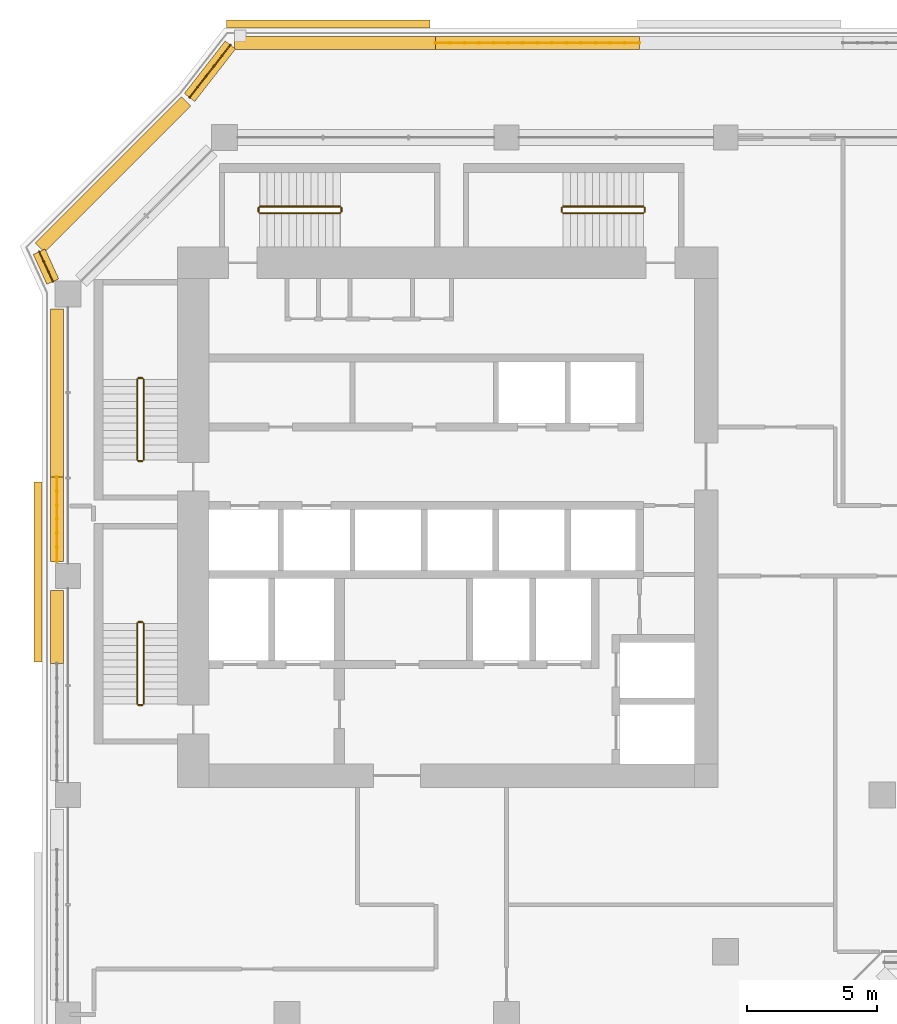
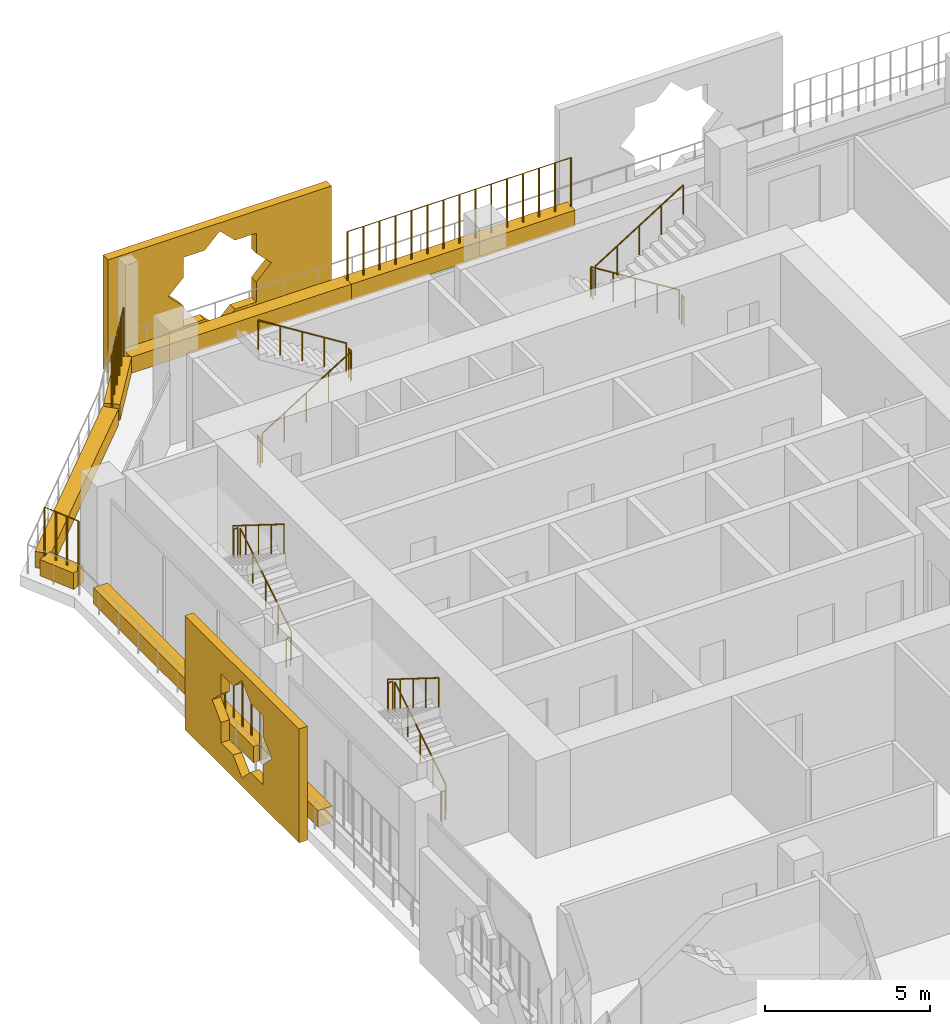
# One storey, part 20 of 22: 20 railings, 10 coverings.
"""IFC4 building model written with IfcOpenShell, lengths in metres."""

from ifc_helpers import new_model, si_unit, direction, frame, origin, origin_2d, place, context, subcontext, project, spatial, polyline, rectangle, circle, outline, extrude, material, material_profile, profile_set, type_object, element, save


model = new_model("IFC4")

# Units and contexts
model_context = context("Model", 3, precision=1e-05, world=origin(), true_north=direction((0.0, 1.0)))
body_context = subcontext(model_context, "Body", "Model", "MODEL_VIEW")
ifc_project = project(units=[si_unit("LENGTHUNIT", "METRE"), si_unit("AREAUNIT", "SQUARE_METRE"), si_unit("VOLUMEUNIT", "CUBIC_METRE"), si_unit("PLANEANGLEUNIT", "RADIAN"), si_unit("MASSUNIT", "GRAM", prefix="KILO")], contexts=[model_context])

# Site, building, storey
site_placement = place(None, origin())
site = spatial("IfcSite", under=ifc_project, at=site_placement, CompositionType="ELEMENT")
building_placement = place(site_placement, origin())
building = spatial("IfcBuilding", under=site, at=building_placement, Name="Kawkab Arch Medical Tower", CompositionType="ELEMENT")
storey_placement = place(building_placement, frame((0.0, 0.0, 183.60009765625)))
storey = spatial("IfcBuildingStorey", under=building, at=storey_placement, Name="L42", CompositionType="ELEMENT", Elevation=183.60009765625)

# Coverings
ifc_material_1 = material(Name="Bronze anodised aluminium mashrabiya panel, eight-point star pattern", Category="aluminium")
ifc_material_profile_1 = material_profile(ifc_material_1, outline(polyline([(-3.449951171875, -2.10009765625), (3.449951171875, -2.10009765625), (3.449951171875, 2.10009765625), (-3.449951171875, 2.10009765625), (-3.449951171875, -2.10009765625)]), holes=[polyline([(1.800048828125, 0.0), (1.272705078125, 0.527099609375), (1.272705078125, 1.272705078125), (0.527099609375, 1.272705078125), (0.0, 1.800048828125), (-0.527099609375, 1.272705078125), (-1.272705078125, 1.272705078125), (-1.272705078125, 0.527099609375), (-1.800048828125, 0.0), (-1.272705078125, -0.527099609375), (-1.272705078125, -1.272705078125), (-0.527099609375, -1.272705078125), (0.0, -1.800048828125), (0.527099609375, -1.272705078125), (1.272705078125, -1.272705078125), (1.272705078125, -0.527099609375), (1.800048828125, 0.0)])]), Name="Mashrabiya panel 6900x4200")
ifc_profile_set_1 = profile_set([ifc_material_profile_1], Name="Bronze anodised aluminium mashrabiya panel, eight-point star pattern")
covering_type_1 = type_object("IfcCoveringType", Name="Mashrabiya panel 6900 x 4200", PredefinedType="USERDEFINED", material=ifc_profile_set_1)
covering_1_placement = place(storey_placement, frame((-1.0, -16.64892578125, 1.699951171875), z_axis=(-1.0, 0.0, 0.0), x_axis=(0.0, -1.0, 0.0)))
element("IfcCovering", 1, at=covering_1_placement, inside=storey, type_object=covering_type_1, Name="Mashrabiya panel L42.LOG-01-01.4", ObjectType="SCREEN", PredefinedType="USERDEFINED", context=body_context, shape_type="SweptSolid", body=[
    extrude(outline(polyline([(-3.449951171875, -2.10009765625), (3.449951171875, -2.10009765625), (3.449951171875, 2.10009765625), (-3.449951171875, 2.10009765625), (-3.449951171875, -2.10009765625)]), holes=[polyline([(1.800048828125, 0.0), (1.272705078125, 0.527099609375), (1.272705078125, 1.272705078125), (0.527099609375, 1.272705078125), (0.0, 1.800048828125), (-0.527099609375, 1.272705078125), (-1.272705078125, 1.272705078125), (-1.272705078125, 0.527099609375), (-1.800048828125, 0.0), (-1.272705078125, -0.527099609375), (-1.272705078125, -1.272705078125), (-0.527099609375, -1.272705078125), (0.0, -1.800048828125), (0.527099609375, -1.272705078125), (1.272705078125, -1.272705078125), (1.272705078125, -0.527099609375), (1.800048828125, 0.0)])]), origin(), (0.0, 0.0, 1.0), 0.300048828125),
])
ifc_material_2 = material(Name="Bronze anodised aluminium mashrabiya panel, eight-point star pattern", Category="aluminium")
ifc_material_profile_2 = material_profile(ifc_material_2, outline(polyline([(-3.89990234375, -2.10009765625), (3.89990234375, -2.10009765625), (3.89990234375, 2.10009765625), (-3.89990234375, 2.10009765625), (-3.89990234375, -2.10009765625)]), holes=[polyline([(1.800048828125, 0.0), (1.272705078125, 0.527099609375), (1.272705078125, 1.272705078125), (0.527099609375, 1.272705078125), (0.0, 1.800048828125), (-0.527099609375, 1.272705078125), (-1.272705078125, 1.272705078125), (-1.272705078125, 0.527099609375), (-1.800048828125, 0.0), (-1.272705078125, -0.527099609375), (-1.272705078125, -1.272705078125), (-0.527099609375, -1.272705078125), (0.0, -1.800048828125), (0.527099609375, -1.272705078125), (1.272705078125, -1.272705078125), (1.272705078125, -0.527099609375), (1.800048828125, 0.0)])]), Name="Mashrabiya panel 7800x4200")
ifc_profile_set_2 = profile_set([ifc_material_profile_2], Name="Bronze anodised aluminium mashrabiya panel, eight-point star pattern")
covering_type_2 = type_object("IfcCoveringType", Name="Mashrabiya panel 7800 x 4200", PredefinedType="USERDEFINED", material=ifc_profile_set_2)
covering_2_placement = place(storey_placement, frame((9.967041015625, 4.199951171875, 1.699951171875), z_axis=(0.0, 1.0, 0.0), x_axis=(-1.0, 0.0, 0.0)))
element("IfcCovering", 2, at=covering_2_placement, inside=storey, type_object=covering_type_2, Name="Mashrabiya panel L42.LOG-01-01.5", ObjectType="SCREEN", PredefinedType="USERDEFINED", context=body_context, shape_type="SweptSolid", body=[
    extrude(outline(polyline([(-3.89990234375, -2.10009765625), (3.89990234375, -2.10009765625), (3.89990234375, 2.10009765625), (-3.89990234375, 2.10009765625), (-3.89990234375, -2.10009765625)]), holes=[polyline([(1.800048828125, 0.0), (1.272705078125, 0.527099609375), (1.272705078125, 1.272705078125), (0.527099609375, 1.272705078125), (0.0, 1.800048828125), (-0.527099609375, 1.272705078125), (-1.272705078125, 1.272705078125), (-1.272705078125, 0.527099609375), (-1.800048828125, 0.0), (-1.272705078125, -0.527099609375), (-1.272705078125, -1.272705078125), (-0.527099609375, -1.272705078125), (0.0, -1.800048828125), (0.527099609375, -1.272705078125), (1.272705078125, -1.272705078125), (1.272705078125, -0.527099609375), (1.800048828125, 0.0)])]), origin(), (0.0, 0.0, 1.0), 0.300048828125),
])
ifc_material_3 = material(Name="Planting soil in a precast trough", Category="concrete")
ifc_material_profile_3 = material_profile(ifc_material_3, rectangle(XDim=0.5, YDim=0.60009765625, at=origin_2d()), Name="Trough 500x600")
ifc_profile_set_3 = profile_set([ifc_material_profile_3], Name="Planting soil in a precast trough")
covering_type_3 = type_object("IfcCoveringType", Name="Planter trough 500 x 600", PredefinedType="USERDEFINED", material=ifc_profile_set_3)
covering_3_placement = place(storey_placement, frame((-0.419921875, -20.157958984375, 0.2998046875), z_axis=(0.0, 1.0, 0.0), x_axis=(-1.0, 0.0, 0.0)))
element("IfcCovering", 3, at=covering_3_placement, inside=storey, type_object=covering_type_3, Name="Planter L42.LOG-01-01.12", ObjectType="PLANTER", PredefinedType="USERDEFINED", context=body_context, shape_type="SweptSolid", body=[
    extrude(rectangle(XDim=0.5, YDim=0.60009765625, at=origin_2d()), origin(), (0.0, 0.0, 1.0), 2.802978515625),
])
covering_4_placement = place(storey_placement, frame((-0.419921875, -16.2451171875, 0.2998046875), z_axis=(0.0, 1.0, 0.0), x_axis=(-1.0, 0.0, 0.0)))
element("IfcCovering", 4, at=covering_4_placement, inside=storey, type_object=covering_type_3, Name="Planter L42.LOG-01-01.13", ObjectType="PLANTER", PredefinedType="USERDEFINED", context=body_context, shape_type="SweptSolid", body=[
    extrude(rectangle(XDim=0.5, YDim=0.60009765625, at=origin_2d()), origin(), (0.0, 0.0, 1.0), 3.22900390625),
])
covering_5_placement = place(storey_placement, frame((-0.419921875, -13.01611328125, 0.2998046875), z_axis=(0.0, 1.0, 0.0), x_axis=(-1.0, 0.0, 0.0)))
element("IfcCovering", 5, at=covering_5_placement, inside=storey, type_object=covering_type_3, Name="Planter L42.LOG-01-01.14", ObjectType="PLANTER", PredefinedType="USERDEFINED", context=body_context, shape_type="SweptSolid", body=[
    extrude(rectangle(XDim=0.5, YDim=0.60009765625, at=origin_2d()), origin(), (0.0, 0.0, 1.0), 6.43603515625),
])
covering_6_placement = place(storey_placement, frame((-0.580078125, -5.52294921875, 0.2998046875), z_axis=(-0.415089762627, 0.909780461959, 0.0), x_axis=(-0.909780461959, -0.415089762627, 0.0)))
element("IfcCovering", 6, at=covering_6_placement, inside=storey, type_object=covering_type_3, Name="Planter L42.LOG-01-01.15", ObjectType="PLANTER", PredefinedType="USERDEFINED", context=body_context, shape_type="SweptSolid", body=[
    extrude(rectangle(XDim=0.5, YDim=0.60009765625, at=origin_2d()), origin(), (0.0, 0.0, 1.0), 1.257568359375),
])
covering_7_placement = place(storey_placement, frame((-1.072998046875, -4.217041015625, 0.2998046875), z_axis=(0.707106781187, 0.707106781187, 0.0), x_axis=(-0.707106781187, 0.707106781187, 0.0)))
element("IfcCovering", 7, at=covering_7_placement, inside=storey, type_object=covering_type_3, Name="Planter L42.LOG-01-01.16", ObjectType="PLANTER", PredefinedType="USERDEFINED", context=body_context, shape_type="SweptSolid", body=[
    extrude(rectangle(XDim=0.5, YDim=0.60009765625, at=origin_2d()), origin(), (0.0, 0.0, 1.0), 7.919677734375),
])
covering_8_placement = place(storey_placement, frame((4.658935546875, 1.531982421875, 0.2998046875), z_axis=(0.61404021143, 0.789274742246, 0.0), x_axis=(-0.789274742246, 0.61404021143, 0.0)))
element("IfcCovering", 8, at=covering_8_placement, inside=storey, type_object=covering_type_3, Name="Planter L42.LOG-01-01.17", ObjectType="PLANTER", PredefinedType="USERDEFINED", context=body_context, shape_type="SweptSolid", body=[
    extrude(rectangle(XDim=0.5, YDim=0.60009765625, at=origin_2d()), origin(), (0.0, 0.0, 1.0), 2.54541015625),
])
covering_9_placement = place(storey_placement, frame((6.384033203125, 3.6201171875, 0.2998046875), z_axis=(1.0, 0.0, 0.0), x_axis=(0.0, 1.0, 0.0)))
element("IfcCovering", 9, at=covering_9_placement, inside=storey, type_object=covering_type_3, Name="Planter L42.LOG-01-01.18", ObjectType="PLANTER", PredefinedType="USERDEFINED", context=body_context, shape_type="SweptSolid", body=[
    extrude(rectangle(XDim=0.5, YDim=0.60009765625, at=origin_2d()), origin(), (0.0, 0.0, 1.0), 7.703857421875),
])
covering_10_placement = place(storey_placement, frame((14.087890625, 3.6201171875, 0.2998046875), z_axis=(1.0, 0.0, 0.0), x_axis=(0.0, 1.0, 0.0)))
element("IfcCovering", 10, at=covering_10_placement, inside=storey, type_object=covering_type_3, Name="Planter L42.LOG-01-01.19", ObjectType="PLANTER", PredefinedType="USERDEFINED", context=body_context, shape_type="SweptSolid", body=[
    extrude(rectangle(XDim=0.5, YDim=0.60009765625, at=origin_2d()), origin(), (0.0, 0.0, 1.0), 7.80517578125),
])

# Railings
ifc_material_4 = material(Name="Bronze anodised aluminium trellis for climbing plants", Category="aluminium")
railing_type_1 = type_object("IfcRailingType", Name="Planting trellis 2400", PredefinedType="USERDEFINED", material=ifc_material_4)
railing_1_placement = place(storey_placement, frame((-0.419921875, -16.2451171875, 0.0)))
element("IfcRailing", 11, at=railing_1_placement, inside=storey, type_object=railing_type_1, Name="Planting trellis L42.LOG-01-01.13", ObjectType="TRELLIS", PredefinedType="USERDEFINED", context=body_context, shape_type="SweptSolid", body=[
    extrude(circle(Radius=0.01513671875, at=origin_2d()), frame((0.0, 0.0, 2.384765625), z_axis=(0.0, 1.0, 0.0), x_axis=(-1.0, 0.0, 0.0)), (0.0, 0.0, 1.0), 3.22900390625),
    extrude(circle(Radius=0.030029296875, at=origin_2d()), origin(), (0.0, 0.0, 1.0), 2.369873046875),
    extrude(circle(Radius=0.030029296875, at=origin_2d()), frame((0.0, 0.5380859375, 0.0)), (0.0, 0.0, 1.0), 2.369873046875),
    extrude(circle(Radius=0.030029296875, at=origin_2d()), frame((0.0, 1.076416015625, 0.0)), (0.0, 0.0, 1.0), 2.369873046875),
    extrude(circle(Radius=0.030029296875, at=origin_2d()), frame((0.0, 1.614501953125, 0.0)), (0.0, 0.0, 1.0), 2.369873046875),
    extrude(circle(Radius=0.030029296875, at=origin_2d()), frame((0.0, 2.152587890625, 0.0)), (0.0, 0.0, 1.0), 2.369873046875),
    extrude(circle(Radius=0.030029296875, at=origin_2d()), frame((0.0, 2.69091796875, 0.0)), (0.0, 0.0, 1.0), 2.369873046875),
    extrude(circle(Radius=0.030029296875, at=origin_2d()), frame((0.0, 3.22900390625, 0.0)), (0.0, 0.0, 1.0), 2.369873046875),
])
railing_2_placement = place(storey_placement, frame((-0.580078125, -5.52294921875, 0.0)))
element("IfcRailing", 12, at=railing_2_placement, inside=storey, type_object=railing_type_1, Name="Planting trellis L42.LOG-01-01.15", ObjectType="TRELLIS", PredefinedType="USERDEFINED", context=body_context, shape_type="SweptSolid", body=[
    extrude(circle(Radius=0.01513671875, at=origin_2d()), frame((0.0, 0.0, 2.384765625), z_axis=(-0.415089762627, 0.909780461959, 0.0), x_axis=(-0.909780461959, -0.415089762627, 0.0)), (0.0, 0.0, 1.0), 1.257568359375),
    extrude(circle(Radius=0.030029296875, at=origin_2d()), origin(), (0.0, 0.0, 1.0), 2.369873046875),
    extrude(circle(Radius=0.030029296875, at=origin_2d()), frame((-0.174072265625, 0.38134765625, 0.0)), (0.0, 0.0, 1.0), 2.369873046875),
    extrude(circle(Radius=0.030029296875, at=origin_2d()), frame((-0.347900390625, 0.7626953125, 0.0)), (0.0, 0.0, 1.0), 2.369873046875),
    extrude(circle(Radius=0.030029296875, at=origin_2d()), frame((-0.52197265625, 1.14404296875, 0.0)), (0.0, 0.0, 1.0), 2.369873046875),
])
railing_3_placement = place(storey_placement, frame((4.658935546875, 1.531982421875, 0.0)))
element("IfcRailing", 13, at=railing_3_placement, inside=storey, type_object=railing_type_1, Name="Planting trellis L42.LOG-01-01.17", ObjectType="TRELLIS", PredefinedType="USERDEFINED", context=body_context, shape_type="SweptSolid", body=[
    extrude(circle(Radius=0.01513671875, at=origin_2d()), frame((0.0, 0.0, 2.384765625), z_axis=(0.61404021143, 0.789274742246, 0.0), x_axis=(-0.789274742246, 0.61404021143, 0.0)), (0.0, 0.0, 1.0), 2.54541015625),
    extrude(circle(Radius=0.030029296875, at=origin_2d()), origin(), (0.0, 0.0, 1.0), 2.369873046875),
    extrude(circle(Radius=0.030029296875, at=origin_2d()), frame((0.3125, 0.40185546875, 0.0)), (0.0, 0.0, 1.0), 2.369873046875),
    extrude(circle(Radius=0.030029296875, at=origin_2d()), frame((0.625244140625, 0.8037109375, 0.0)), (0.0, 0.0, 1.0), 2.369873046875),
    extrude(circle(Radius=0.030029296875, at=origin_2d()), frame((0.937744140625, 1.205322265625, 0.0)), (0.0, 0.0, 1.0), 2.369873046875),
    extrude(circle(Radius=0.030029296875, at=origin_2d()), frame((1.25048828125, 1.607177734375, 0.0)), (0.0, 0.0, 1.0), 2.369873046875),
    extrude(circle(Radius=0.030029296875, at=origin_2d()), frame((1.56298828125, 2.009033203125, 0.0)), (0.0, 0.0, 1.0), 2.369873046875),
])
railing_4_placement = place(storey_placement, frame((14.087890625, 3.6201171875, 0.0)))
element("IfcRailing", 14, at=railing_4_placement, inside=storey, type_object=railing_type_1, Name="Planting trellis L42.LOG-01-01.19", ObjectType="TRELLIS", PredefinedType="USERDEFINED", context=body_context, shape_type="SweptSolid", body=[
    extrude(circle(Radius=0.01513671875, at=origin_2d()), frame((0.0, 0.0, 2.384765625), z_axis=(1.0, 0.0, 0.0), x_axis=(0.0, 1.0, 0.0)), (0.0, 0.0, 1.0), 7.80517578125),
    extrude(circle(Radius=0.030029296875, at=origin_2d()), origin(), (0.0, 0.0, 1.0), 2.369873046875),
    extrude(circle(Radius=0.030029296875, at=origin_2d()), frame((0.5576171875, 0.0, 0.0)), (0.0, 0.0, 1.0), 2.369873046875),
    extrude(circle(Radius=0.030029296875, at=origin_2d()), frame((1.114990234375, 0.0, 0.0)), (0.0, 0.0, 1.0), 2.369873046875),
    extrude(circle(Radius=0.030029296875, at=origin_2d()), frame((1.672607421875, 0.0, 0.0)), (0.0, 0.0, 1.0), 2.369873046875),
    extrude(circle(Radius=0.030029296875, at=origin_2d()), frame((2.22998046875, 0.0, 0.0)), (0.0, 0.0, 1.0), 2.369873046875),
    extrude(circle(Radius=0.030029296875, at=origin_2d()), frame((2.78759765625, 0.0, 0.0)), (0.0, 0.0, 1.0), 2.369873046875),
    extrude(circle(Radius=0.030029296875, at=origin_2d()), frame((3.344970703125, 0.0, 0.0)), (0.0, 0.0, 1.0), 2.369873046875),
    extrude(circle(Radius=0.030029296875, at=origin_2d()), frame((3.902587890625, 0.0, 0.0)), (0.0, 0.0, 1.0), 2.369873046875),
    extrude(circle(Radius=0.030029296875, at=origin_2d()), frame((4.460205078125, 0.0, 0.0)), (0.0, 0.0, 1.0), 2.369873046875),
    extrude(circle(Radius=0.030029296875, at=origin_2d()), frame((5.017578125, 0.0, 0.0)), (0.0, 0.0, 1.0), 2.369873046875),
    extrude(circle(Radius=0.030029296875, at=origin_2d()), frame((5.5751953125, 0.0, 0.0)), (0.0, 0.0, 1.0), 2.369873046875),
    extrude(circle(Radius=0.030029296875, at=origin_2d()), frame((6.132568359375, 0.0, 0.0)), (0.0, 0.0, 1.0), 2.369873046875),
    extrude(circle(Radius=0.030029296875, at=origin_2d()), frame((6.690185546875, 0.0, 0.0)), (0.0, 0.0, 1.0), 2.369873046875),
    extrude(circle(Radius=0.030029296875, at=origin_2d()), frame((7.24755859375, 0.0, 0.0)), (0.0, 0.0, 1.0), 2.369873046875),
    extrude(circle(Radius=0.030029296875, at=origin_2d()), frame((7.80517578125, 0.0, 0.0)), (0.0, 0.0, 1.0), 2.369873046875),
])
ifc_material_5 = material(Name="Stainless steel", Category="steel")
railing_type_2 = type_object("IfcRailingType", Name="Stair guard 1100", PredefinedType="GUARDRAIL", material=ifc_material_5)
railing_5_placement = place(storey_placement, frame((2.89990234375, -12.35009765625, 0.1748046875)))
element("IfcRailing", 15, at=railing_5_placement, inside=storey, type_object=railing_type_2, Name="L42 ST1 stair guard 1", PredefinedType="GUARDRAIL", context=body_context, shape_type="SweptSolid", body=[
    extrude(circle(Radius=0.02392578125, at=origin_2d()), frame((0.0, 0.0, 1.076171875), z_axis=(0.0, 0.847998304005, 0.529998940003), x_axis=(-1.0, 0.0, 0.0)), (0.0, 0.0, 1.0), 3.632080078125),
    extrude(circle(Radius=0.02099609375, at=origin_2d()), origin(), (0.0, 0.0, 1.0), 1.052001953125),
    extrude(circle(Radius=0.02099609375, at=origin_2d()), frame((0.0, 0.77001953125, 0.481201171875)), (0.0, 0.0, 1.0), 1.052001953125),
    extrude(circle(Radius=0.02099609375, at=origin_2d()), frame((0.0, 1.5400390625, 0.96240234375)), (0.0, 0.0, 1.0), 1.052001953125),
    extrude(circle(Radius=0.02099609375, at=origin_2d()), frame((0.0, 2.31005859375, 1.44384765625)), (0.0, 0.0, 1.0), 1.052001953125),
    extrude(circle(Radius=0.02099609375, at=origin_2d()), frame((0.0, 3.080078125, 1.925048828125)), (0.0, 0.0, 1.0), 1.052001953125),
])
railing_6_placement = place(storey_placement, frame((2.85009765625, -9.219970703125, 2.099853515625)))
element("IfcRailing", 16, at=railing_6_placement, inside=storey, type_object=railing_type_2, Name="L42 ST1 stair guard 2", PredefinedType="GUARDRAIL", context=body_context, shape_type="SweptSolid", body=[
    extrude(circle(Radius=0.02392578125, at=origin_2d()), frame((0.0, 0.0, 1.076171875), z_axis=(-1.0, 0.0, 0.0), x_axis=(0.0, -1.0, 0.0)), (0.0, 0.0, 1.0), 0.150146484375),
    extrude(circle(Radius=0.02099609375, at=origin_2d()), origin(), (0.0, 0.0, 1.0), 1.052001953125),
    extrude(circle(Radius=0.02099609375, at=origin_2d()), frame((-0.150146484375, 0.0, 0.0)), (0.0, 0.0, 1.0), 1.052001953125),
])
railing_7_placement = place(storey_placement, frame((2.64990234375, -9.27001953125, 2.27490234375)))
element("IfcRailing", 17, at=railing_7_placement, inside=storey, type_object=railing_type_2, Name="L42 ST1 stair guard 3", PredefinedType="GUARDRAIL", context=body_context, shape_type="SweptSolid", body=[
    extrude(circle(Radius=0.02392578125, at=origin_2d()), frame((0.0, 0.0, 1.076171875), z_axis=(0.0, -0.847998304005, 0.529998940003), x_axis=(1.0, 0.0, 0.0)), (0.0, 0.0, 1.0), 3.632080078125),
    extrude(circle(Radius=0.02099609375, at=origin_2d()), origin(), (0.0, 0.0, 1.0), 1.052001953125),
    extrude(circle(Radius=0.02099609375, at=origin_2d()), frame((0.0, -0.77001953125, 0.481201171875)), (0.0, 0.0, 1.0), 1.052001953125),
    extrude(circle(Radius=0.02099609375, at=origin_2d()), frame((0.0, -1.5400390625, 0.96240234375)), (0.0, 0.0, 1.0), 1.052001953125),
    extrude(circle(Radius=0.02099609375, at=origin_2d()), frame((0.0, -2.31005859375, 1.44384765625)), (0.0, 0.0, 1.0), 1.052001953125),
    extrude(circle(Radius=0.02099609375, at=origin_2d()), frame((0.0, -3.080078125, 1.925048828125)), (0.0, 0.0, 1.0), 1.052001953125),
])
railing_8_placement = place(storey_placement, frame((2.85009765625, -12.39990234375, 0.0)))
element("IfcRailing", 18, at=railing_8_placement, inside=storey, type_object=railing_type_2, Name="L42 ST1 stair guard 4", PredefinedType="GUARDRAIL", context=body_context, shape_type="SweptSolid", body=[
    extrude(circle(Radius=0.02392578125, at=origin_2d()), frame((0.0, 0.0, 1.076171875), z_axis=(-1.0, 0.0, 0.0), x_axis=(0.0, -1.0, 0.0)), (0.0, 0.0, 1.0), 0.150146484375),
    extrude(circle(Radius=0.02099609375, at=origin_2d()), origin(), (0.0, 0.0, 1.0), 1.052001953125),
    extrude(circle(Radius=0.02099609375, at=origin_2d()), frame((-0.150146484375, 0.0, 0.0)), (0.0, 0.0, 1.0), 1.052001953125),
])
railing_9_placement = place(storey_placement, frame((2.89990234375, -21.699951171875, 0.1748046875)))
element("IfcRailing", 19, at=railing_9_placement, inside=storey, type_object=railing_type_2, Name="L42 ST2 stair guard 1", PredefinedType="GUARDRAIL", context=body_context, shape_type="SweptSolid", body=[
    extrude(circle(Radius=0.02392578125, at=origin_2d()), frame((0.0, 0.0, 1.076171875), z_axis=(0.0, 0.847979421464, 0.530029150871), x_axis=(-1.0, 0.0, 0.0)), (0.0, 0.0, 1.0), 3.632080078125),
    extrude(circle(Radius=0.02099609375, at=origin_2d()), origin(), (0.0, 0.0, 1.0), 1.052001953125),
    extrude(circle(Radius=0.02099609375, at=origin_2d()), frame((0.0, 0.77001953125, 0.481201171875)), (0.0, 0.0, 1.0), 1.052001953125),
    extrude(circle(Radius=0.02099609375, at=origin_2d()), frame((0.0, 1.5400390625, 0.96240234375)), (0.0, 0.0, 1.0), 1.052001953125),
    extrude(circle(Radius=0.02099609375, at=origin_2d()), frame((0.0, 2.309814453125, 1.44384765625)), (0.0, 0.0, 1.0), 1.052001953125),
    extrude(circle(Radius=0.02099609375, at=origin_2d()), frame((0.0, 3.079833984375, 1.925048828125)), (0.0, 0.0, 1.0), 1.052001953125),
])
railing_10_placement = place(storey_placement, frame((2.85009765625, -18.570068359375, 2.099853515625)))
element("IfcRailing", 20, at=railing_10_placement, inside=storey, type_object=railing_type_2, Name="L42 ST2 stair guard 2", PredefinedType="GUARDRAIL", context=body_context, shape_type="SweptSolid", body=[
    extrude(circle(Radius=0.02392578125, at=origin_2d()), frame((0.0, 0.0, 1.076171875), z_axis=(-1.0, 0.0, 0.0), x_axis=(0.0, -1.0, 0.0)), (0.0, 0.0, 1.0), 0.150146484375),
    extrude(circle(Radius=0.02099609375, at=origin_2d()), origin(), (0.0, 0.0, 1.0), 1.052001953125),
    extrude(circle(Radius=0.02099609375, at=origin_2d()), frame((-0.150146484375, 0.0, 0.0)), (0.0, 0.0, 1.0), 1.052001953125),
])
railing_11_placement = place(storey_placement, frame((2.64990234375, -18.6201171875, 2.27490234375)))
element("IfcRailing", 21, at=railing_11_placement, inside=storey, type_object=railing_type_2, Name="L42 ST2 stair guard 3", PredefinedType="GUARDRAIL", context=body_context, shape_type="SweptSolid", body=[
    extrude(circle(Radius=0.02392578125, at=origin_2d()), frame((0.0, 0.0, 1.076171875), z_axis=(0.0, -0.847979421464, 0.530029150871), x_axis=(1.0, 0.0, 0.0)), (0.0, 0.0, 1.0), 3.632080078125),
    extrude(circle(Radius=0.02099609375, at=origin_2d()), origin(), (0.0, 0.0, 1.0), 1.052001953125),
    extrude(circle(Radius=0.02099609375, at=origin_2d()), frame((0.0, -0.77001953125, 0.481201171875)), (0.0, 0.0, 1.0), 1.052001953125),
    extrude(circle(Radius=0.02099609375, at=origin_2d()), frame((0.0, -1.5400390625, 0.96240234375)), (0.0, 0.0, 1.0), 1.052001953125),
    extrude(circle(Radius=0.02099609375, at=origin_2d()), frame((0.0, -2.309814453125, 1.44384765625)), (0.0, 0.0, 1.0), 1.052001953125),
    extrude(circle(Radius=0.02099609375, at=origin_2d()), frame((0.0, -3.079833984375, 1.925048828125)), (0.0, 0.0, 1.0), 1.052001953125),
])
railing_12_placement = place(storey_placement, frame((2.85009765625, -21.75, 0.0)))
element("IfcRailing", 22, at=railing_12_placement, inside=storey, type_object=railing_type_2, Name="L42 ST2 stair guard 4", PredefinedType="GUARDRAIL", context=body_context, shape_type="SweptSolid", body=[
    extrude(circle(Radius=0.02392578125, at=origin_2d()), frame((0.0, 0.0, 1.076171875), z_axis=(-1.0, 0.0, 0.0), x_axis=(0.0, -1.0, 0.0)), (0.0, 0.0, 1.0), 0.150146484375),
    extrude(circle(Radius=0.02099609375, at=origin_2d()), origin(), (0.0, 0.0, 1.0), 1.052001953125),
    extrude(circle(Radius=0.02099609375, at=origin_2d()), frame((-0.150146484375, 0.0, 0.0)), (0.0, 0.0, 1.0), 1.052001953125),
])
railing_13_placement = place(storey_placement, frame((7.35009765625, -2.89990234375, 0.1748046875)))
element("IfcRailing", 23, at=railing_13_placement, inside=storey, type_object=railing_type_2, Name="L42 ST3 stair guard 1", PredefinedType="GUARDRAIL", context=body_context, shape_type="SweptSolid", body=[
    extrude(circle(Radius=0.02392578125, at=origin_2d()), frame((0.0, 0.0, 1.076171875), z_axis=(0.847979421464, 0.0, 0.530029150871), x_axis=(0.0, 1.0, 0.0)), (0.0, 0.0, 1.0), 3.632080078125),
    extrude(circle(Radius=0.02099609375, at=origin_2d()), origin(), (0.0, 0.0, 1.0), 1.052001953125),
    extrude(circle(Radius=0.02099609375, at=origin_2d()), frame((0.77001953125, 0.0, 0.481201171875)), (0.0, 0.0, 1.0), 1.052001953125),
    extrude(circle(Radius=0.02099609375, at=origin_2d()), frame((1.5400390625, 0.0, 0.96240234375)), (0.0, 0.0, 1.0), 1.052001953125),
    extrude(circle(Radius=0.02099609375, at=origin_2d()), frame((2.309814453125, 0.0, 1.44384765625)), (0.0, 0.0, 1.0), 1.052001953125),
    extrude(circle(Radius=0.02099609375, at=origin_2d()), frame((3.079833984375, 0.0, 1.925048828125)), (0.0, 0.0, 1.0), 1.052001953125),
])
railing_14_placement = place(storey_placement, frame((10.47998046875, -2.85009765625, 2.099853515625)))
element("IfcRailing", 24, at=railing_14_placement, inside=storey, type_object=railing_type_2, Name="L42 ST3 stair guard 2", PredefinedType="GUARDRAIL", context=body_context, shape_type="SweptSolid", body=[
    extrude(circle(Radius=0.02392578125, at=origin_2d()), frame((0.0, 0.0, 1.076171875), z_axis=(0.0, 1.0, 0.0), x_axis=(-1.0, 0.0, 0.0)), (0.0, 0.0, 1.0), 0.150146484375),
    extrude(circle(Radius=0.02099609375, at=origin_2d()), origin(), (0.0, 0.0, 1.0), 1.052001953125),
    extrude(circle(Radius=0.02099609375, at=origin_2d()), frame((0.0, 0.150146484375, 0.0)), (0.0, 0.0, 1.0), 1.052001953125),
])
railing_15_placement = place(storey_placement, frame((10.429931640625, -2.64990234375, 2.27490234375)))
element("IfcRailing", 25, at=railing_15_placement, inside=storey, type_object=railing_type_2, Name="L42 ST3 stair guard 3", PredefinedType="GUARDRAIL", context=body_context, shape_type="SweptSolid", body=[
    extrude(circle(Radius=0.02392578125, at=origin_2d()), frame((0.0, 0.0, 1.076171875), z_axis=(-0.847979421464, 0.0, 0.530029150871), x_axis=(0.0, -1.0, 0.0)), (0.0, 0.0, 1.0), 3.632080078125),
    extrude(circle(Radius=0.02099609375, at=origin_2d()), origin(), (0.0, 0.0, 1.0), 1.052001953125),
    extrude(circle(Radius=0.02099609375, at=origin_2d()), frame((-0.77001953125, 0.0, 0.481201171875)), (0.0, 0.0, 1.0), 1.052001953125),
    extrude(circle(Radius=0.02099609375, at=origin_2d()), frame((-1.5400390625, 0.0, 0.96240234375)), (0.0, 0.0, 1.0), 1.052001953125),
    extrude(circle(Radius=0.02099609375, at=origin_2d()), frame((-2.309814453125, 0.0, 1.44384765625)), (0.0, 0.0, 1.0), 1.052001953125),
    extrude(circle(Radius=0.02099609375, at=origin_2d()), frame((-3.079833984375, 0.0, 1.925048828125)), (0.0, 0.0, 1.0), 1.052001953125),
])
railing_16_placement = place(storey_placement, frame((7.300048828125, -2.85009765625, 0.0)))
element("IfcRailing", 26, at=railing_16_placement, inside=storey, type_object=railing_type_2, Name="L42 ST3 stair guard 4", PredefinedType="GUARDRAIL", context=body_context, shape_type="SweptSolid", body=[
    extrude(circle(Radius=0.02392578125, at=origin_2d()), frame((0.0, 0.0, 1.076171875), z_axis=(0.0, 1.0, 0.0), x_axis=(-1.0, 0.0, 0.0)), (0.0, 0.0, 1.0), 0.150146484375),
    extrude(circle(Radius=0.02099609375, at=origin_2d()), origin(), (0.0, 0.0, 1.0), 1.052001953125),
    extrude(circle(Radius=0.02099609375, at=origin_2d()), frame((0.0, 0.150146484375, 0.0)), (0.0, 0.0, 1.0), 1.052001953125),
])
railing_17_placement = place(storey_placement, frame((22.050048828125, -2.64990234375, 0.1748046875)))
element("IfcRailing", 27, at=railing_17_placement, inside=storey, type_object=railing_type_2, Name="L42 ST4 stair guard 1", PredefinedType="GUARDRAIL", context=body_context, shape_type="SweptSolid", body=[
    extrude(circle(Radius=0.02392578125, at=origin_2d()), frame((0.0, 0.0, 1.076171875), z_axis=(-0.847998304005, 0.0, 0.529998940003), x_axis=(0.0, -1.0, 0.0)), (0.0, 0.0, 1.0), 3.632080078125),
    extrude(circle(Radius=0.02099609375, at=origin_2d()), origin(), (0.0, 0.0, 1.0), 1.052001953125),
    extrude(circle(Radius=0.02099609375, at=origin_2d()), frame((-0.77001953125, 0.0, 0.481201171875)), (0.0, 0.0, 1.0), 1.052001953125),
    extrude(circle(Radius=0.02099609375, at=origin_2d()), frame((-1.5400390625, 0.0, 0.96240234375)), (0.0, 0.0, 1.0), 1.052001953125),
    extrude(circle(Radius=0.02099609375, at=origin_2d()), frame((-2.31005859375, 0.0, 1.44384765625)), (0.0, 0.0, 1.0), 1.052001953125),
    extrude(circle(Radius=0.02099609375, at=origin_2d()), frame((-3.080078125, 0.0, 1.925048828125)), (0.0, 0.0, 1.0), 1.052001953125),
])
railing_18_placement = place(storey_placement, frame((18.919921875, -2.699951171875, 2.099853515625)))
element("IfcRailing", 28, at=railing_18_placement, inside=storey, type_object=railing_type_2, Name="L42 ST4 stair guard 2", PredefinedType="GUARDRAIL", context=body_context, shape_type="SweptSolid", body=[
    extrude(circle(Radius=0.02392578125, at=origin_2d()), frame((0.0, 0.0, 1.076171875), z_axis=(0.0, -1.0, 0.0), x_axis=(1.0, 0.0, 0.0)), (0.0, 0.0, 1.0), 0.150146484375),
    extrude(circle(Radius=0.02099609375, at=origin_2d()), origin(), (0.0, 0.0, 1.0), 1.052001953125),
    extrude(circle(Radius=0.02099609375, at=origin_2d()), frame((0.0, -0.150146484375, 0.0)), (0.0, 0.0, 1.0), 1.052001953125),
])
railing_19_placement = place(storey_placement, frame((18.969970703125, -2.89990234375, 2.27490234375)))
element("IfcRailing", 29, at=railing_19_placement, inside=storey, type_object=railing_type_2, Name="L42 ST4 stair guard 3", PredefinedType="GUARDRAIL", context=body_context, shape_type="SweptSolid", body=[
    extrude(circle(Radius=0.02392578125, at=origin_2d()), frame((0.0, 0.0, 1.076171875), z_axis=(0.847998304005, 0.0, 0.529998940003), x_axis=(0.0, 1.0, 0.0)), (0.0, 0.0, 1.0), 3.632080078125),
    extrude(circle(Radius=0.02099609375, at=origin_2d()), origin(), (0.0, 0.0, 1.0), 1.052001953125),
    extrude(circle(Radius=0.02099609375, at=origin_2d()), frame((0.77001953125, 0.0, 0.481201171875)), (0.0, 0.0, 1.0), 1.052001953125),
    extrude(circle(Radius=0.02099609375, at=origin_2d()), frame((1.5400390625, 0.0, 0.96240234375)), (0.0, 0.0, 1.0), 1.052001953125),
    extrude(circle(Radius=0.02099609375, at=origin_2d()), frame((2.31005859375, 0.0, 1.44384765625)), (0.0, 0.0, 1.0), 1.052001953125),
    extrude(circle(Radius=0.02099609375, at=origin_2d()), frame((3.080078125, 0.0, 1.925048828125)), (0.0, 0.0, 1.0), 1.052001953125),
])
railing_20_placement = place(storey_placement, frame((22.10009765625, -2.699951171875, 0.0)))
element("IfcRailing", 30, at=railing_20_placement, inside=storey, type_object=railing_type_2, Name="L42 ST4 stair guard 4", PredefinedType="GUARDRAIL", context=body_context, shape_type="SweptSolid", body=[
    extrude(circle(Radius=0.02392578125, at=origin_2d()), frame((0.0, 0.0, 1.076171875), z_axis=(0.0, -1.0, 0.0), x_axis=(1.0, 0.0, 0.0)), (0.0, 0.0, 1.0), 0.150146484375),
    extrude(circle(Radius=0.02099609375, at=origin_2d()), origin(), (0.0, 0.0, 1.0), 1.052001953125),
    extrude(circle(Radius=0.02099609375, at=origin_2d()), frame((0.0, -0.150146484375, 0.0)), (0.0, 0.0, 1.0), 1.052001953125),
])

save(model, "model.ifc")
